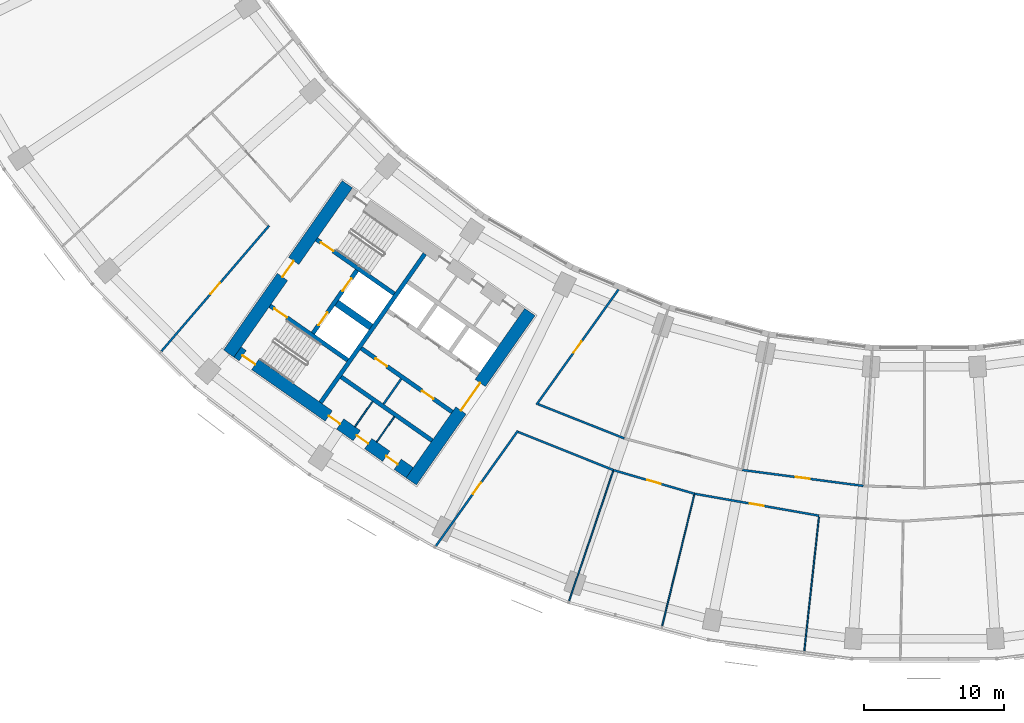
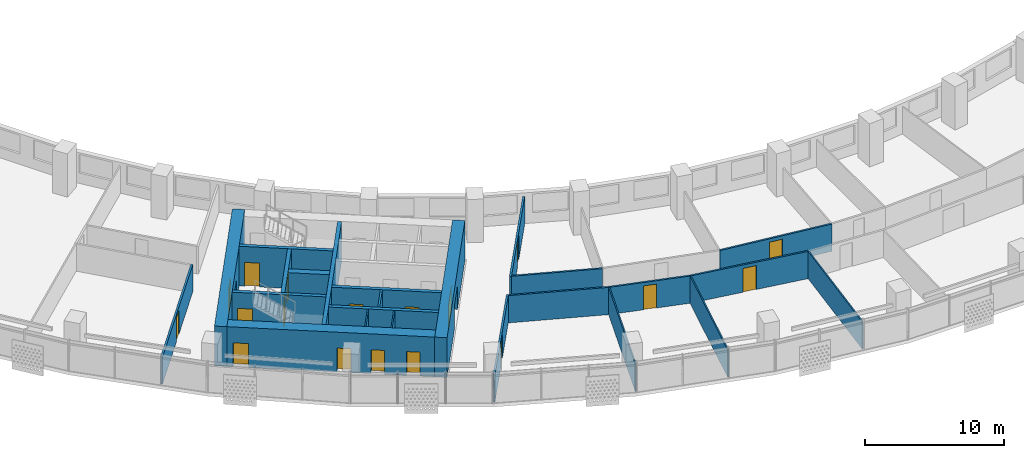
# One storey, part 3 of 29: 24 walls, 18 doors, 18 openings.
"""IFC4 building model written with IfcOpenShell, lengths in metres."""

from ifc_helpers import new_model, si_unit, direction, frame, frame_2d, origin, place, context, subcontext, project, spatial, rectangle, extrude, material, layer, layer_set, type_object, element, fill, save


model = new_model("IFC4")

# Units and contexts
model_context = context("Model", 3, precision=1e-05, world=origin(), true_north=direction((0.0, 1.0)))
body_context = subcontext(model_context, "Body", "Model", "MODEL_VIEW")
ifc_project = project(units=[si_unit("LENGTHUNIT", "METRE"), si_unit("AREAUNIT", "SQUARE_METRE"), si_unit("VOLUMEUNIT", "CUBIC_METRE"), si_unit("PLANEANGLEUNIT", "RADIAN"), si_unit("MASSUNIT", "GRAM", prefix="KILO")], contexts=[model_context])

# Site, building, storey
site_placement = place(None, origin())
site = spatial("IfcSite", under=ifc_project, at=site_placement, CompositionType="ELEMENT")
building_placement = place(site_placement, origin())
building = spatial("IfcBuilding", under=site, at=building_placement, Name="Qamariyya Broadcast Tower", CompositionType="ELEMENT")
storey_placement = place(building_placement, frame((0.0, 0.0, 121.5)))
storey = spatial("IfcBuildingStorey", under=building, at=storey_placement, Name="L27", CompositionType="ELEMENT", Elevation=121.5)

# Wall, opening, door
ifc_material_1 = material(Name="Concrete C70/85", Category="concrete")
ifc_layer_1 = layer(ifc_material_1, 0.89990234375)
ifc_layer_set_1 = layer_set([ifc_layer_1], Name="Core wall 900 mm Concrete C70/85")
wall_type_1 = type_object("IfcWallType", Name="Core wall 900 mm Concrete C70/85", PredefinedType="SHEAR", material=ifc_layer_set_1)
wall_1_placement = place(storey_placement, frame((-36.716796875, -66.3369140625, 0.0), z_axis=(0.0, 0.0, 1.0), x_axis=(0.573577477574, 0.819151315216, 0.0)))
wall_1 = element("IfcWall", 1, at=wall_1_placement, inside=storey, type_object=wall_type_1, Name="k-W-L27-WA", PredefinedType="SHEAR", context=body_context, shape_type="SweptSolid", body=[
    extrude(rectangle(XDim=14.800048828125, YDim=0.89990234375, at=frame_2d((7.39990234375, 0.0))), origin(), (0.0, 0.0, 1.0), 3.5),
])
opening_1_placement = place(wall_1_placement, frame((6.199951171875, 0.0, 0.0)))
opening_1 = element("IfcOpeningElement", 2, at=opening_1_placement, cuts=wall_1, Name="Opening KD3-W1", PredefinedType="OPENING", context=body_context, shape_type="SweptSolid", body=[
    extrude(rectangle(XDim=2.39990234375, YDim=2.10009765625, at=frame_2d((1.199951171875, 1.050048828125))), frame((0.0, 0.4599609375, 0.0), z_axis=(0.0, -1.0, 0.0), x_axis=(1.0, 0.0, 0.0)), (0.0, 0.0, 1.0), 0.919921875),
])
ifc_material_2 = material(Name="Steel fire-resisting door leaf", Category="steel")
door_type_1 = type_object("IfcDoorType", Name="Lift lobby door KD3", OperationType="DOUBLE_DOOR_SINGLE_SWING", PredefinedType="DOOR", material=ifc_material_2)
door_1_placement = place(opening_1_placement, origin())
door_1 = element("IfcDoor", 3, at=door_1_placement, inside=storey, type_object=door_type_1, Name="k-W-L27-WA-D1", OperationType="DOUBLE_DOOR_SINGLE_SWING", OverallHeight=2.10009765625, OverallWidth=2.39990234375, PredefinedType="DOOR", context=body_context, shape_type="SweptSolid", body=[
    extrude(rectangle(XDim=2.39990234375, YDim=2.10009765625, at=frame_2d((1.199951171875, 1.050048828125))), frame((0.0, 0.02490234375, 0.0), z_axis=(0.0, -1.0, 0.0), x_axis=(1.0, 0.0, 0.0)), (0.0, 0.0, 1.0), 0.050048828125),
])
fill(opening_1, door_1)

wall_2_placement = place(storey_placement, frame((-49.778564453125, -57.191162109375, 0.0), z_axis=(0.0, 0.0, 1.0), x_axis=(0.573577477574, 0.819151315216, 0.0)))
wall_2 = element("IfcWall", 4, at=wall_2_placement, inside=storey, type_object=wall_type_1, Name="k-W-L27-WH", PredefinedType="SHEAR", context=body_context, shape_type="SweptSolid", body=[
    extrude(rectangle(XDim=14.800048828125, YDim=0.89990234375, at=frame_2d((7.39990234375, 0.0))), origin(), (0.0, 0.0, 1.0), 3.5),
])
opening_2_placement = place(wall_2_placement, frame((6.699951171875, 0.0, 0.0)))
opening_2 = element("IfcOpeningElement", 5, at=opening_2_placement, cuts=wall_2, Name="Opening KD2-W1", PredefinedType="OPENING", context=body_context, shape_type="SweptSolid", body=[
    extrude(rectangle(XDim=1.39990234375, YDim=2.10009765625, at=frame_2d((0.699951171875, 1.050048828125))), frame((0.0, 0.4599609375, 0.0), z_axis=(0.0, -1.0, 0.0), x_axis=(1.0, 0.0, 0.0)), (0.0, 0.0, 1.0), 0.919921875),
])
door_type_2 = type_object("IfcDoorType", Name="Fire-fighting lobby door KD2", OperationType="DOUBLE_DOOR_SINGLE_SWING", PredefinedType="DOOR", material=ifc_material_2)
door_2_placement = place(opening_2_placement, origin())
door_2 = element("IfcDoor", 6, at=door_2_placement, inside=storey, type_object=door_type_2, Name="k-W-L27-WH-D15", OperationType="DOUBLE_DOOR_SINGLE_SWING", OverallHeight=2.10009765625, OverallWidth=1.39990234375, PredefinedType="DOOR", context=body_context, shape_type="SweptSolid", body=[
    extrude(rectangle(XDim=1.39990234375, YDim=2.10009765625, at=frame_2d((0.699951171875, 1.050048828125))), frame((0.0, 0.02490234375, 0.0), z_axis=(0.0, -1.0, 0.0), x_axis=(1.0, 0.0, 0.0)), (0.0, 0.0, 1.0), 0.050048828125),
])
fill(opening_2, door_2)

# Wall, openings, doors
wall_3_placement = place(storey_placement, frame((-36.827392578125, -65.710205078125, 0.0), z_axis=(0.0, 0.0, 1.0), x_axis=(-0.819153391756, 0.573574511963, 0.0)))
wall_3 = element("IfcWall", 7, at=wall_3_placement, inside=storey, type_object=wall_type_1, Name="k-W-L27-WO", PredefinedType="SHEAR", context=body_context, shape_type="SweptSolid", body=[
    extrude(rectangle(XDim=15.04541015625, YDim=0.89990234375, at=frame_2d((7.522705078125, 0.0))), origin(), (0.0, 0.0, 1.0), 3.5),
])
opening_3_placement = place(wall_3_placement, frame((1.050048828125, 0.0, 0.0)))
opening_3 = element("IfcOpeningElement", 8, at=opening_3_placement, cuts=wall_3, Name="Opening KD4-W2", PredefinedType="OPENING", context=body_context, shape_type="SweptSolid", body=[
    extrude(rectangle(XDim=1.0, YDim=2.10009765625, at=frame_2d((0.5, 1.050048828125))), frame((0.0, 0.4599609375, 0.0), z_axis=(0.0, -1.0, 0.0), x_axis=(1.0, 0.0, 0.0)), (0.0, 0.0, 1.0), 0.919921875),
])
opening_4_placement = place(wall_3_placement, frame((3.625, 0.0, 0.0)))
opening_4 = element("IfcOpeningElement", 9, at=opening_4_placement, cuts=wall_3, Name="Opening KD4-W3", PredefinedType="OPENING", context=body_context, shape_type="SweptSolid", body=[
    extrude(rectangle(XDim=1.0, YDim=2.10009765625, at=frame_2d((0.5, 1.050048828125))), frame((0.0, 0.4599609375, 0.0), z_axis=(0.0, -1.0, 0.0), x_axis=(1.0, 0.0, 0.0)), (0.0, 0.0, 1.0), 0.919921875),
])
opening_5_placement = place(wall_3_placement, frame((6.074951171875, 0.0, 0.0)))
opening_5 = element("IfcOpeningElement", 10, at=opening_5_placement, cuts=wall_3, Name="Opening KD6-W3", PredefinedType="OPENING", context=body_context, shape_type="SweptSolid", body=[
    extrude(rectangle(XDim=1.0, YDim=2.10009765625, at=frame_2d((0.5, 1.050048828125))), frame((0.0, 0.4599609375, 0.0), z_axis=(0.0, -1.0, 0.0), x_axis=(1.0, 0.0, 0.0)), (0.0, 0.0, 1.0), 0.919921875),
])
opening_6_placement = place(wall_3_placement, frame((13.495361328125, 0.0, 0.0)))
opening_6 = element("IfcOpeningElement", 11, at=opening_6_placement, cuts=wall_3, Name="Opening KD1-W3", PredefinedType="OPENING", context=body_context, shape_type="SweptSolid", body=[
    extrude(rectangle(XDim=1.10009765625, YDim=2.10009765625, at=frame_2d((0.550048828125, 1.050048828125))), frame((0.0, 0.4599609375, 0.0), z_axis=(0.0, -1.0, 0.0), x_axis=(1.0, 0.0, 0.0)), (0.0, 0.0, 1.0), 0.919921875),
])
door_type_3 = type_object("IfcDoorType", Name="Core room door KD6", OperationType="SINGLE_SWING_LEFT", PredefinedType="DOOR", material=ifc_material_2)
door_3_placement = place(opening_5_placement, origin())
door_3 = element("IfcDoor", 12, at=door_3_placement, inside=storey, type_object=door_type_3, Name="k-W-L27-WO-D12", OperationType="SINGLE_SWING_LEFT", OverallHeight=2.10009765625, OverallWidth=1.0, PredefinedType="DOOR", context=body_context, shape_type="SweptSolid", body=[
    extrude(rectangle(XDim=1.0, YDim=2.10009765625, at=frame_2d((0.5, 1.050048828125))), frame((0.0, 0.02490234375, 0.0), z_axis=(0.0, -1.0, 0.0), x_axis=(1.0, 0.0, 0.0)), (0.0, 0.0, 1.0), 0.050048828125),
])
fill(opening_5, door_3)
door_type_4 = type_object("IfcDoorType", Name="Riser and plant door KD4", OperationType="SINGLE_SWING_LEFT", PredefinedType="DOOR", material=ifc_material_2)
door_4_placement = place(opening_3_placement, origin())
door_4 = element("IfcDoor", 13, at=door_4_placement, inside=storey, type_object=door_type_4, Name="k-W-L27-WO-D10", OperationType="SINGLE_SWING_LEFT", OverallHeight=2.10009765625, OverallWidth=1.0, PredefinedType="DOOR", context=body_context, shape_type="SweptSolid", body=[
    extrude(rectangle(XDim=1.0, YDim=2.10009765625, at=frame_2d((0.5, 1.050048828125))), frame((0.0, 0.02490234375, 0.0), z_axis=(0.0, -1.0, 0.0), x_axis=(1.0, 0.0, 0.0)), (0.0, 0.0, 1.0), 0.050048828125),
])
fill(opening_3, door_4)
door_5_placement = place(opening_4_placement, origin())
door_5 = element("IfcDoor", 14, at=door_5_placement, inside=storey, type_object=door_type_4, Name="k-W-L27-WO-D11", OperationType="SINGLE_SWING_RIGHT", OverallHeight=2.10009765625, OverallWidth=1.0, PredefinedType="DOOR", context=body_context, shape_type="SweptSolid", body=[
    extrude(rectangle(XDim=1.0, YDim=2.10009765625, at=frame_2d((0.5, 1.050048828125))), frame((0.0, 0.02490234375, 0.0), z_axis=(0.0, -1.0, 0.0), x_axis=(1.0, 0.0, 0.0)), (0.0, 0.0, 1.0), 0.050048828125),
])
fill(opening_4, door_5)
door_type_5 = type_object("IfcDoorType", Name="Stair door KD1", OperationType="SINGLE_SWING_LEFT", PredefinedType="DOOR", material=ifc_material_2)
door_6_placement = place(opening_6_placement, origin())
door_6 = element("IfcDoor", 15, at=door_6_placement, inside=storey, type_object=door_type_5, Name="k-W-L27-WO-D18", OperationType="SINGLE_SWING_LEFT", OverallHeight=2.10009765625, OverallWidth=1.10009765625, PredefinedType="DOOR", context=body_context, shape_type="SweptSolid", body=[
    extrude(rectangle(XDim=1.10009765625, YDim=2.10009765625, at=frame_2d((0.550048828125, 1.050048828125))), frame((0.0, 0.02490234375, 0.0), z_axis=(0.0, -1.0, 0.0), x_axis=(1.0, 0.0, 0.0)), (0.0, 0.0, 1.0), 0.050048828125),
])
fill(opening_6, door_6)

# Wall, opening, door
ifc_material_3 = material(Name="Gypsum board partition")
ifc_layer_2 = layer(ifc_material_3, 0.14990234375)
ifc_layer_set_2 = layer_set([ifc_layer_2], Name="Corridor partition 150 EI 60")
wall_type_2 = type_object("IfcWallType", Name="Corridor partition 150 EI 60", PredefinedType="PARTITIONING", material=ifc_layer_set_2)
wall_4_placement = place(storey_placement, frame((-54.600830078125, -57.024169921875, 0.0), z_axis=(0.0, 0.0, 1.0), x_axis=(0.650984855328, 0.759090717986, 0.0)))
wall_4 = element("IfcWall", 16, at=wall_4_placement, inside=storey, type_object=wall_type_2, Name="Partition L27-004", PredefinedType="PARTITIONING", context=body_context, shape_type="SweptSolid", body=[
    extrude(rectangle(XDim=11.844970703125, YDim=0.14990234375, at=frame_2d((5.92236328125, 0.0))), origin(), (0.0, 0.0, 1.0), 2.39990234375),
])
opening_7_placement = place(wall_4_placement, frame((5.422607421875, 0.0, 0.0)))
opening_7 = element("IfcOpeningElement", 17, at=opening_7_placement, cuts=wall_4, Name="Opening L27-D14", PredefinedType="OPENING", context=body_context, shape_type="SweptSolid", body=[
    extrude(rectangle(XDim=1.0, YDim=2.10009765625, at=frame_2d((0.5, 1.050048828125))), frame((0.0, 0.0849609375, 0.0), z_axis=(0.0, -1.0, 0.0), x_axis=(1.0, 0.0, 0.0)), (0.0, 0.0, 1.0), 0.169921875),
])
ifc_material_4 = material(Name="Timber fire door leaf", Category="wood")
door_type_6 = type_object("IfcDoorType", Name="Fire door 1000 x 2100 FD60", OperationType="NOTDEFINED", PredefinedType="DOOR", material=ifc_material_4)
door_7_placement = place(opening_7_placement, origin())
door_7 = element("IfcDoor", 18, at=door_7_placement, inside=storey, type_object=door_type_6, Name="Door L27-D14", OperationType="SINGLE_SWING_RIGHT", OverallHeight=2.10009765625, OverallWidth=1.0, PredefinedType="DOOR", context=body_context, shape_type="SweptSolid", body=[
    extrude(rectangle(XDim=1.0, YDim=2.10009765625, at=frame_2d((0.5, 1.050048828125))), frame((0.0, 0.02490234375, 0.0), z_axis=(0.0, -1.0, 0.0), x_axis=(1.0, 0.0, 0.0)), (0.0, 0.0, 1.0), 0.050048828125),
])
fill(opening_7, door_7)

wall_5_placement = place(storey_placement, frame((-29.083984375, -62.710205078125, 0.0), z_axis=(0.0, 0.0, 1.0), x_axis=(-0.580031092611, -0.814594335608, 0.0)))
wall_5 = element("IfcWall", 19, at=wall_5_placement, inside=storey, type_object=wall_type_2, Name="Partition L27-008", PredefinedType="PARTITIONING", context=body_context, shape_type="SweptSolid", body=[
    extrude(rectangle(XDim=10.126220703125, YDim=0.14990234375, at=frame_2d((5.06298828125, 0.0))), origin(), (0.0, 0.0, 1.0), 2.39990234375),
])
opening_8_placement = place(wall_5_placement, frame((4.563232421875, 0.0, 0.0)))
opening_8 = element("IfcOpeningElement", 20, at=opening_8_placement, cuts=wall_5, Name="Opening L27-D01", PredefinedType="OPENING", context=body_context, shape_type="SweptSolid", body=[
    extrude(rectangle(XDim=1.0, YDim=2.10009765625, at=frame_2d((0.5, 1.050048828125))), frame((0.0, 0.0849609375, 0.0), z_axis=(0.0, -1.0, 0.0), x_axis=(1.0, 0.0, 0.0)), (0.0, 0.0, 1.0), 0.169921875),
])
door_8_placement = place(opening_8_placement, origin())
door_8 = element("IfcDoor", 21, at=door_8_placement, inside=storey, type_object=door_type_6, Name="Door L27-D01", OperationType="SINGLE_SWING_RIGHT", OverallHeight=2.10009765625, OverallWidth=1.0, PredefinedType="DOOR", context=body_context, shape_type="SweptSolid", body=[
    extrude(rectangle(XDim=1.0, YDim=2.10009765625, at=frame_2d((0.5, 1.050048828125))), frame((0.0, 0.02490234375, 0.0), z_axis=(0.0, -1.0, 0.0), x_axis=(1.0, 0.0, 0.0)), (0.0, 0.0, 1.0), 0.050048828125),
])
fill(opening_8, door_8)

# Walls
wall_6_placement = place(storey_placement, frame((-29.057861328125, -62.799072265625, 0.0), z_axis=(0.0, 0.0, 1.0), x_axis=(0.92834358791, -0.371723261025, 0.0)))
element("IfcWall", 22, at=wall_6_placement, inside=storey, type_object=wall_type_2, Name="Partition L27-009", PredefinedType="PARTITIONING", context=body_context, shape_type="SweptSolid", body=[
    extrude(rectangle(XDim=7.340087890625, YDim=0.14990234375, at=frame_2d((3.669921875, 0.0))), origin(), (0.0, 0.0, 1.0), 2.39990234375),
])
wall_7_placement = place(storey_placement, frame((-27.640869140625, -60.808837890625, 0.0), z_axis=(0.0, 0.0, 1.0), x_axis=(0.929586380114, -0.368604343308, 0.0)))
element("IfcWall", 23, at=wall_7_placement, inside=storey, type_object=wall_type_2, Name="Partition L27-010", PredefinedType="PARTITIONING", context=body_context, shape_type="SweptSolid", body=[
    extrude(rectangle(XDim=6.635986328125, YDim=0.14990234375, at=frame_2d((3.31787109375, 0.0))), origin(), (0.0, 0.0, 1.0), 2.39990234375),
])

# Wall, opening, door
wall_8_placement = place(storey_placement, frame((-16.446044921875, -67.21728515625, 0.0), z_axis=(0.0, 0.0, 1.0), x_axis=(-0.960056580345, 0.279805937279, 0.0)))
wall_8 = element("IfcWall", 24, at=wall_8_placement, inside=storey, type_object=wall_type_2, Name="Partition L27-012", PredefinedType="PARTITIONING", context=body_context, shape_type="SweptSolid", body=[
    extrude(rectangle(XDim=6.038818359375, YDim=0.14990234375, at=frame_2d((3.01953125, 0.0))), origin(), (0.0, 0.0, 1.0), 2.39990234375),
])
opening_9_placement = place(wall_8_placement, frame((2.51953125, 0.0, 0.0)))
opening_9 = element("IfcOpeningElement", 25, at=opening_9_placement, cuts=wall_8, Name="Opening L27-D02", PredefinedType="OPENING", context=body_context, shape_type="SweptSolid", body=[
    extrude(rectangle(XDim=1.0, YDim=2.10009765625, at=frame_2d((0.5, 1.050048828125))), frame((0.0, 0.0849609375, 0.0), z_axis=(0.0, -1.0, 0.0), x_axis=(1.0, 0.0, 0.0)), (0.0, 0.0, 1.0), 0.169921875),
])
door_9_placement = place(opening_9_placement, origin())
door_9 = element("IfcDoor", 26, at=door_9_placement, inside=storey, type_object=door_type_6, Name="Door L27-D02", OperationType="SINGLE_SWING_RIGHT", OverallHeight=2.10009765625, OverallWidth=1.0, PredefinedType="DOOR", context=body_context, shape_type="SweptSolid", body=[
    extrude(rectangle(XDim=1.0, YDim=2.10009765625, at=frame_2d((0.5, 1.050048828125))), frame((0.0, 0.02490234375, 0.0), z_axis=(0.0, -1.0, 0.0), x_axis=(1.0, 0.0, 0.0)), (0.0, 0.0, 1.0), 0.050048828125),
])
fill(opening_9, door_9)

wall_9_placement = place(storey_placement, frame((-21.8837890625, -52.59765625, 0.0), z_axis=(0.0, 0.0, 1.0), x_axis=(-0.580016763963, -0.814604538118, 0.0)))
wall_9 = element("IfcWall", 27, at=wall_9_placement, inside=storey, type_object=wall_type_2, Name="Partition L27-013", PredefinedType="PARTITIONING", context=body_context, shape_type="SweptSolid", body=[
    extrude(rectangle(XDim=10.12109375, YDim=0.14990234375, at=frame_2d((5.060546875, 0.0))), origin(), (0.0, 0.0, 1.0), 2.39990234375),
])
opening_10_placement = place(wall_9_placement, frame((4.560546875, 0.0, 0.0)))
opening_10 = element("IfcOpeningElement", 28, at=opening_10_placement, cuts=wall_9, Name="Opening L27-D07", PredefinedType="OPENING", context=body_context, shape_type="SweptSolid", body=[
    extrude(rectangle(XDim=1.0, YDim=2.10009765625, at=frame_2d((0.5, 1.050048828125))), frame((0.0, 0.0849609375, 0.0), z_axis=(0.0, -1.0, 0.0), x_axis=(1.0, 0.0, 0.0)), (0.0, 0.0, 1.0), 0.169921875),
])
door_10_placement = place(opening_10_placement, origin())
door_10 = element("IfcDoor", 29, at=door_10_placement, inside=storey, type_object=door_type_6, Name="Door L27-D07", OperationType="SINGLE_SWING_RIGHT", OverallHeight=2.10009765625, OverallWidth=1.0, PredefinedType="DOOR", context=body_context, shape_type="SweptSolid", body=[
    extrude(rectangle(XDim=1.0, YDim=2.10009765625, at=frame_2d((0.5, 1.050048828125))), frame((0.0, 0.02490234375, 0.0), z_axis=(0.0, -1.0, 0.0), x_axis=(1.0, 0.0, 0.0)), (0.0, 0.0, 1.0), 0.050048828125),
])
fill(opening_10, door_10)

wall_10_placement = place(storey_placement, frame((-7.53173828125, -68.788818359375, 0.0), z_axis=(0.0, 0.0, 1.0), x_axis=(-0.984813412134, 0.173616080133, 0.0)))
wall_10 = element("IfcWall", 30, at=wall_10_placement, inside=storey, type_object=wall_type_2, Name="Partition L27-017", PredefinedType="PARTITIONING", context=body_context, shape_type="SweptSolid", body=[
    extrude(rectangle(XDim=9.0517578125, YDim=0.14990234375, at=frame_2d((4.52587890625, 0.0))), origin(), (0.0, 0.0, 1.0), 2.39990234375),
])
opening_11_placement = place(wall_10_placement, frame((4.02587890625, 0.0, 0.0)))
opening_11 = element("IfcOpeningElement", 31, at=opening_11_placement, cuts=wall_10, Name="Opening L27-D03", PredefinedType="OPENING", context=body_context, shape_type="SweptSolid", body=[
    extrude(rectangle(XDim=1.0, YDim=2.10009765625, at=frame_2d((0.5, 1.050048828125))), frame((0.0, 0.0849609375, 0.0), z_axis=(0.0, -1.0, 0.0), x_axis=(1.0, 0.0, 0.0)), (0.0, 0.0, 1.0), 0.169921875),
])
door_11_placement = place(opening_11_placement, origin())
door_11 = element("IfcDoor", 32, at=door_11_placement, inside=storey, type_object=door_type_6, Name="Door L27-D03", OperationType="SINGLE_SWING_RIGHT", OverallHeight=2.10009765625, OverallWidth=1.0, PredefinedType="DOOR", context=body_context, shape_type="SweptSolid", body=[
    extrude(rectangle(XDim=1.0, YDim=2.10009765625, at=frame_2d((0.5, 1.050048828125))), frame((0.0, 0.02490234375, 0.0), z_axis=(0.0, -1.0, 0.0), x_axis=(1.0, 0.0, 0.0)), (0.0, 0.0, 1.0), 0.050048828125),
])
fill(opening_11, door_11)

wall_11_placement = place(storey_placement, frame((-13.031982421875, -65.516357421875, 0.0), z_axis=(0.0, 0.0, 1.0), x_axis=(0.991443260322, -0.130538352841, 0.0)))
wall_11 = element("IfcWall", 33, at=wall_11_placement, inside=storey, type_object=wall_type_2, Name="Partition L27-018", PredefinedType="PARTITIONING", context=body_context, shape_type="SweptSolid", body=[
    extrude(rectangle(XDim=8.73779296875, YDim=0.14990234375, at=frame_2d((4.368896484375, 0.0))), origin(), (0.0, 0.0, 1.0), 2.39990234375),
])
opening_12_placement = place(wall_11_placement, frame((3.868896484375, 0.0, 0.0)))
opening_12 = element("IfcOpeningElement", 34, at=opening_12_placement, cuts=wall_11, Name="Opening L27-D09", PredefinedType="OPENING", context=body_context, shape_type="SweptSolid", body=[
    extrude(rectangle(XDim=1.0, YDim=2.10009765625, at=frame_2d((0.5, 1.050048828125))), frame((0.0, 0.0849609375, 0.0), z_axis=(0.0, -1.0, 0.0), x_axis=(1.0, 0.0, 0.0)), (0.0, 0.0, 1.0), 0.169921875),
])
door_12_placement = place(opening_12_placement, origin())
door_12 = element("IfcDoor", 35, at=door_12_placement, inside=storey, type_object=door_type_6, Name="Door L27-D09", OperationType="SINGLE_SWING_RIGHT", OverallHeight=2.10009765625, OverallWidth=1.0, PredefinedType="DOOR", context=body_context, shape_type="SweptSolid", body=[
    extrude(rectangle(XDim=1.0, YDim=2.10009765625, at=frame_2d((0.5, 1.050048828125))), frame((0.0, 0.02490234375, 0.0), z_axis=(0.0, -1.0, 0.0), x_axis=(1.0, 0.0, 0.0)), (0.0, 0.0, 1.0), 0.050048828125),
])
fill(opening_12, door_12)

# Walls
ifc_material_5 = material(Name="Concrete C60/75", Category="concrete")
ifc_layer_3 = layer(ifc_material_5, 0.5)
ifc_layer_set_3 = layer_set([ifc_layer_3], Name="Fire-fighting lobby divider wall 500 mm Concrete C60/75")
wall_type_3 = type_object("IfcWallType", Name="Fire-fighting lobby divider wall 500 mm Concrete C60/75", PredefinedType="SOLIDWALL", material=ifc_layer_set_3)
wall_12_placement = place(storey_placement, frame((-39.59912109375, -55.28515625, 0.0), z_axis=(0.0, 0.0, 1.0), x_axis=(-0.819136323161, 0.573598887793, 0.0)))
element("IfcWall", 36, at=wall_12_placement, inside=storey, type_object=wall_type_3, Name="k-W-L27-FD", PredefinedType="SOLIDWALL", context=body_context, shape_type="SweptSolid", body=[
    extrude(rectangle(XDim=2.999755859375, YDim=0.5, at=frame_2d((1.5, 0.0))), origin(), (0.0, 0.0, 1.0), 3.5),
])
ifc_material_6 = material(Name="Gypsum board partition on steel studs", Category="steel")
ifc_layer_4 = layer(ifc_material_6, 0.14990234375)
ifc_layer_set_4 = layer_set([ifc_layer_4], Name="Gypsum board partition 150 mm")
wall_type_4 = type_object("IfcWallType", Name="Gypsum board partition 150 mm", PredefinedType="PARTITIONING", material=ifc_layer_set_4)
wall_13_placement = place(storey_placement, frame((-37.436767578125, -58.99658203125, 0.0), z_axis=(0.0, 0.0, 1.0), x_axis=(-0.573559170999, -0.819164133348, 0.0)))
element("IfcWall", 37, at=wall_13_placement, inside=storey, type_object=wall_type_4, Name="k-W-L27-SC435", PredefinedType="PARTITIONING", context=body_context, shape_type="SweptSolid", body=[
    extrude(rectangle(XDim=2.19970703125, YDim=0.14990234375, at=frame_2d((1.099853515625, 0.0))), origin(), (0.0, 0.0, 1.0), 3.5),
])
ifc_layer_5 = layer(ifc_material_5, 0.300048828125)
ifc_layer_set_5 = layer_set([ifc_layer_5], Name="Lift shaft wall 300 mm Concrete C60/75")
wall_type_5 = type_object("IfcWallType", Name="Lift shaft wall 300 mm Concrete C60/75", PredefinedType="SOLIDWALL", material=ifc_layer_set_5)
wall_14_placement = place(storey_placement, frame((-43.204345703125, -60.69580078125, 0.0), z_axis=(0.0, 0.0, 1.0), x_axis=(0.573571992966, 0.819155155563, 0.0)))
element("IfcWall", 38, at=wall_14_placement, inside=storey, type_object=wall_type_5, Name="k-W-L27-WL", PredefinedType="SOLIDWALL", context=body_context, shape_type="SweptSolid", body=[
    extrude(rectangle(XDim=13.000244140625, YDim=0.300048828125, at=frame_2d((6.5, 0.0))), origin(), (0.0, 0.0, 1.0), 3.5),
])

# Wall, openings, doors
wall_15_placement = place(storey_placement, frame((-33.787353515625, -61.368896484375, 0.0), z_axis=(0.0, 0.0, 1.0), x_axis=(-0.819152564888, 0.573575692858, 0.0)))
wall_15 = element("IfcWall", 39, at=wall_15_placement, inside=storey, type_object=wall_type_5, Name="k-W-L27-SF0", PredefinedType="SOLIDWALL", context=body_context, shape_type="SweptSolid", body=[
    extrude(rectangle(XDim=7.9501953125, YDim=0.300048828125, at=frame_2d((3.97509765625, 0.0))), origin(), (0.0, 0.0, 1.0), 3.5),
])
opening_13_placement = place(wall_15_placement, frame((1.637451171875, 0.0, 0.0)))
opening_13 = element("IfcOpeningElement", 40, at=opening_13_placement, cuts=wall_15, Name="Opening KD4-W1", PredefinedType="OPENING", context=body_context, shape_type="SweptSolid", body=[
    extrude(rectangle(XDim=1.0, YDim=2.10009765625, at=frame_2d((0.5, 1.050048828125))), frame((0.0, 0.159912109375, 0.0), z_axis=(0.0, -1.0, 0.0), x_axis=(1.0, 0.0, 0.0)), (0.0, 0.0, 1.0), 0.320068359375),
])
opening_14_placement = place(wall_15_placement, frame((5.6875, 0.0, 0.0)))
opening_14 = element("IfcOpeningElement", 41, at=opening_14_placement, cuts=wall_15, Name="Opening KD6-W1", PredefinedType="OPENING", context=body_context, shape_type="SweptSolid", body=[
    extrude(rectangle(XDim=1.0, YDim=2.10009765625, at=frame_2d((0.5, 1.050048828125))), frame((0.0, 0.159912109375, 0.0), z_axis=(0.0, -1.0, 0.0), x_axis=(1.0, 0.0, 0.0)), (0.0, 0.0, 1.0), 0.320068359375),
])
door_13_placement = place(opening_14_placement, origin())
door_13 = element("IfcDoor", 42, at=door_13_placement, inside=storey, type_object=door_type_3, Name="k-W-L27-SF0-D6", OperationType="SINGLE_SWING_LEFT", OverallHeight=2.10009765625, OverallWidth=1.0, PredefinedType="DOOR", context=body_context, shape_type="SweptSolid", body=[
    extrude(rectangle(XDim=1.0, YDim=2.10009765625, at=frame_2d((0.5, 1.050048828125))), frame((0.0, 0.02490234375, 0.0), z_axis=(0.0, -1.0, 0.0), x_axis=(1.0, 0.0, 0.0)), (0.0, 0.0, 1.0), 0.050048828125),
])
fill(opening_14, door_13)
door_14_placement = place(opening_13_placement, origin())
door_14 = element("IfcDoor", 43, at=door_14_placement, inside=storey, type_object=door_type_4, Name="k-W-L27-SF0-D5", OperationType="SINGLE_SWING_RIGHT", OverallHeight=2.10009765625, OverallWidth=1.0, PredefinedType="DOOR", context=body_context, shape_type="SweptSolid", body=[
    extrude(rectangle(XDim=1.0, YDim=2.10009765625, at=frame_2d((0.5, 1.050048828125))), frame((0.0, 0.02490234375, 0.0), z_axis=(0.0, -1.0, 0.0), x_axis=(1.0, 0.0, 0.0)), (0.0, 0.0, 1.0), 0.050048828125),
])
fill(opening_13, door_14)

# Wall
wall_16_placement = place(storey_placement, frame((-35.22119140625, -63.41650390625, 0.0), z_axis=(0.0, 0.0, 1.0), x_axis=(-0.819166993208, 0.573555086491, 0.0)))
element("IfcWall", 44, at=wall_16_placement, inside=storey, type_object=wall_type_5, Name="k-W-L27-SB0", PredefinedType="SOLIDWALL", context=body_context, shape_type="SweptSolid", body=[
    extrude(rectangle(XDim=7.9501953125, YDim=0.300048828125, at=frame_2d((3.97509765625, 0.0))), origin(), (0.0, 0.0, 1.0), 3.5),
])

# Wall, opening, door
wall_17_placement = place(storey_placement, frame((-37.935546875, -52.90966796875, 0.0), z_axis=(0.0, 0.0, 1.0), x_axis=(-0.819147518138, 0.57358290031, 0.0)))
wall_17 = element("IfcWall", 45, at=wall_17_placement, inside=storey, type_object=wall_type_5, Name="k-W-L27-NW", PredefinedType="SOLIDWALL", context=body_context, shape_type="SweptSolid", body=[
    extrude(rectangle(XDim=6.79541015625, YDim=0.300048828125, at=frame_2d((3.397705078125, 0.0))), origin(), (0.0, 0.0, 1.0), 3.5),
])
opening_15_placement = place(wall_17_placement, frame((5.3203125, 0.0, 0.0)))
opening_15 = element("IfcOpeningElement", 46, at=opening_15_placement, cuts=wall_17, Name="Opening KD1-W2", PredefinedType="OPENING", context=body_context, shape_type="SweptSolid", body=[
    extrude(rectangle(XDim=1.10009765625, YDim=2.10009765625, at=frame_2d((0.550048828125, 1.050048828125))), frame((0.0, 0.159912109375, 0.0), z_axis=(0.0, -1.0, 0.0), x_axis=(1.0, 0.0, 0.0)), (0.0, 0.0, 1.0), 0.320068359375),
])
door_15_placement = place(opening_15_placement, origin())
door_15 = element("IfcDoor", 47, at=door_15_placement, inside=storey, type_object=door_type_5, Name="k-W-L27-NW-D17", OperationType="SINGLE_SWING_RIGHT", OverallHeight=2.10009765625, OverallWidth=1.10009765625, PredefinedType="DOOR", context=body_context, shape_type="SweptSolid", body=[
    extrude(rectangle(XDim=1.10009765625, YDim=2.10009765625, at=frame_2d((0.550048828125, 1.050048828125))), frame((0.0, 0.02490234375, 0.0), z_axis=(0.0, -1.0, 0.0), x_axis=(1.0, 0.0, 0.0)), (0.0, 0.0, 1.0), 0.050048828125),
])
fill(opening_15, door_15)

wall_18_placement = place(storey_placement, frame((-41.262451171875, -57.66064453125, 0.0), z_axis=(0.0, 0.0, 1.0), x_axis=(-0.819164398642, 0.573558792102, 0.0)))
wall_18 = element("IfcWall", 48, at=wall_18_placement, inside=storey, type_object=wall_type_5, Name="k-W-L27-SW", PredefinedType="SOLIDWALL", context=body_context, shape_type="SweptSolid", body=[
    extrude(rectangle(XDim=6.795166015625, YDim=0.300048828125, at=frame_2d((3.3974609375, 0.0))), origin(), (0.0, 0.0, 1.0), 3.5),
])
opening_16_placement = place(wall_18_placement, frame((5.3203125, 0.0, 0.0)))
opening_16 = element("IfcOpeningElement", 49, at=opening_16_placement, cuts=wall_18, Name="Opening KD1-W4", PredefinedType="OPENING", context=body_context, shape_type="SweptSolid", body=[
    extrude(rectangle(XDim=1.10009765625, YDim=2.10009765625, at=frame_2d((0.550048828125, 1.050048828125))), frame((0.0, 0.159912109375, 0.0), z_axis=(0.0, -1.0, 0.0), x_axis=(1.0, 0.0, 0.0)), (0.0, 0.0, 1.0), 0.320068359375),
])
door_16_placement = place(opening_16_placement, origin())
door_16 = element("IfcDoor", 50, at=door_16_placement, inside=storey, type_object=door_type_5, Name="k-W-L27-SW-D19", OperationType="SINGLE_SWING_RIGHT", OverallHeight=2.10009765625, OverallWidth=1.10009765625, PredefinedType="DOOR", context=body_context, shape_type="SweptSolid", body=[
    extrude(rectangle(XDim=1.10009765625, YDim=2.10009765625, at=frame_2d((0.550048828125, 1.050048828125))), frame((0.0, 0.02490234375, 0.0), z_axis=(0.0, -1.0, 0.0), x_axis=(1.0, 0.0, 0.0)), (0.0, 0.0, 1.0), 0.050048828125),
])
fill(opening_16, door_16)

# Wall, openings, doors
wall_19_placement = place(storey_placement, frame((-43.756591796875, -55.731201171875, 0.0), z_axis=(0.0, 0.0, 1.0), x_axis=(0.573536818435, 0.819179783625, 0.0)))
wall_19 = element("IfcWall", 51, at=wall_19_placement, inside=storey, type_object=wall_type_5, Name="k-W-L27-FF", PredefinedType="SOLIDWALL", context=body_context, shape_type="SweptSolid", body=[
    extrude(rectangle(XDim=5.500244140625, YDim=0.300048828125, at=frame_2d((2.75, 0.0))), origin(), (0.0, 0.0, 1.0), 3.5),
])
opening_17_placement = place(wall_19_placement, frame((0.699951171875, 0.0, 0.0)))
opening_17 = element("IfcOpeningElement", 52, at=opening_17_placement, cuts=wall_19, Name="Opening LD", PredefinedType="OPENING", context=body_context, shape_type="SweptSolid", body=[
    extrude(rectangle(XDim=1.10009765625, YDim=2.10009765625, at=frame_2d((0.550048828125, 1.050048828125))), frame((0.0, 0.159912109375, 0.0), z_axis=(0.0, -1.0, 0.0), x_axis=(1.0, 0.0, 0.0)), (0.0, 0.0, 1.0), 0.320068359375),
])
opening_18_placement = place(wall_19_placement, frame((3.699951171875, 0.0, 0.0)))
opening_18 = element("IfcOpeningElement", 53, at=opening_18_placement, cuts=wall_19, Name="Opening LD", PredefinedType="OPENING", context=body_context, shape_type="SweptSolid", body=[
    extrude(rectangle(XDim=1.10009765625, YDim=2.10009765625, at=frame_2d((0.550048828125, 1.050048828125))), frame((0.0, 0.159912109375, 0.0), z_axis=(0.0, -1.0, 0.0), x_axis=(1.0, 0.0, 0.0)), (0.0, 0.0, 1.0), 0.320068359375),
])
door_type_7 = type_object("IfcDoorType", Name="Lift landing door LD", OperationType="DOUBLE_DOOR_SLIDING", PredefinedType="DOOR", material=ifc_material_2)
door_17_placement = place(opening_17_placement, origin())
door_17 = element("IfcDoor", 54, at=door_17_placement, inside=storey, type_object=door_type_7, Name="k-W-L27-FF-D13", OperationType="DOUBLE_DOOR_SLIDING", OverallHeight=2.10009765625, OverallWidth=1.10009765625, PredefinedType="DOOR", context=body_context, shape_type="SweptSolid", body=[
    extrude(rectangle(XDim=1.10009765625, YDim=2.10009765625, at=frame_2d((0.550048828125, 1.050048828125))), frame((0.0, 0.02490234375, 0.0), z_axis=(0.0, -1.0, 0.0), x_axis=(1.0, 0.0, 0.0)), (0.0, 0.0, 1.0), 0.050048828125),
])
fill(opening_17, door_17)
door_18_placement = place(opening_18_placement, origin())
door_18 = element("IfcDoor", 55, at=door_18_placement, inside=storey, type_object=door_type_7, Name="k-W-L27-FF-D14", OperationType="DOUBLE_DOOR_SLIDING", OverallHeight=2.10009765625, OverallWidth=1.10009765625, PredefinedType="DOOR", context=body_context, shape_type="SweptSolid", body=[
    extrude(rectangle(XDim=1.10009765625, YDim=2.10009765625, at=frame_2d((0.550048828125, 1.050048828125))), frame((0.0, 0.02490234375, 0.0), z_axis=(0.0, -1.0, 0.0), x_axis=(1.0, 0.0, 0.0)), (0.0, 0.0, 1.0), 0.050048828125),
])
fill(opening_18, door_18)

# Walls
ifc_layer_6 = layer(ifc_material_3, 0.10009765625)
ifc_layer_set_6 = layer_set([ifc_layer_6], Name="Partition 100")
wall_type_6 = type_object("IfcWallType", Name="Partition 100", PredefinedType="PARTITIONING", material=ifc_layer_set_6)
wall_20_placement = place(storey_placement, frame((-25.42578125, -74.902099609375, 0.0), z_axis=(0.0, 0.0, 1.0), x_axis=(0.3214264651, 0.94693454237, 0.0)))
element("IfcWall", 56, at=wall_20_placement, inside=storey, type_object=wall_type_6, Name="Partition L27-011", PredefinedType="PARTITIONING", context=body_context, shape_type="SweptSolid", body=[
    extrude(rectangle(XDim=9.82470703125, YDim=0.10009765625, at=frame_2d((4.912353515625, 0.0))), origin(), (0.0, 0.0, 1.0), 2.39990234375),
])
for number, where, z_axis, x_axis, name in (
    (57, (-18.762939453125, -76.68701171875, 0.0), (0.0, 0.0, 1.0), (0.237657357205, 0.971349051869, 0.0), "Partition L27-015"),
    (58, (-8.5927734375, -78.47998046875, 0.0), (0.0, 0.0, 1.0), (0.10884699726, 0.994058514972, 0.0), "Partition L27-020"),
):
    element("IfcWall", number, at=place(storey_placement, frame(where, z_axis=z_axis, x_axis=x_axis)), inside=storey, type_object=wall_type_6, Name=name, PredefinedType="PARTITIONING", context=body_context, shape_type="SweptSolid", body=[
        extrude(rectangle(XDim=9.673828125, YDim=0.10009765625, at=frame_2d((4.8369140625, 0.0))), origin(), (0.0, 0.0, 1.0), 2.39990234375),
    ])
ifc_material_7 = material(Name="Fire-rated gypsum shaft liner on steel studs", Category="steel")
ifc_layer_7 = layer(ifc_material_7, 0.10009765625)
ifc_layer_set_7 = layer_set([ifc_layer_7], Name="Riser wall 100 mm")
wall_type_7 = type_object("IfcWallType", Name="Riser wall 100 mm", PredefinedType="PLUMBINGWALL", material=ifc_layer_set_7)
wall_21_placement = place(storey_placement, frame((-37.9287109375, -61.7041015625, 0.0), z_axis=(0.0, 0.0, 1.0), x_axis=(-0.573559170999, -0.819164133348, 0.0)))
element("IfcWall", 59, at=wall_21_placement, inside=storey, type_object=wall_type_7, Name="k-W-L27-SP320", PredefinedType="PLUMBINGWALL", context=body_context, shape_type="SweptSolid", body=[
    extrude(rectangle(XDim=2.19970703125, YDim=0.10009765625, at=frame_2d((1.099853515625, 0.0))), origin(), (0.0, 0.0, 1.0), 3.5),
])
wall_22_placement = place(storey_placement, frame((-39.485107421875, -60.6142578125, 0.0), z_axis=(0.0, 0.0, 1.0), x_axis=(-0.573507030513, -0.819200638399, 0.0)))
element("IfcWall", 60, at=wall_22_placement, inside=storey, type_object=wall_type_7, Name="k-W-L27-SP510", PredefinedType="PLUMBINGWALL", context=body_context, shape_type="SweptSolid", body=[
    extrude(rectangle(XDim=2.199951171875, YDim=0.10009765625, at=frame_2d((1.10009765625, 0.0))), origin(), (0.0, 0.0, 1.0), 3.5),
])

save(model, "model.ifc")
